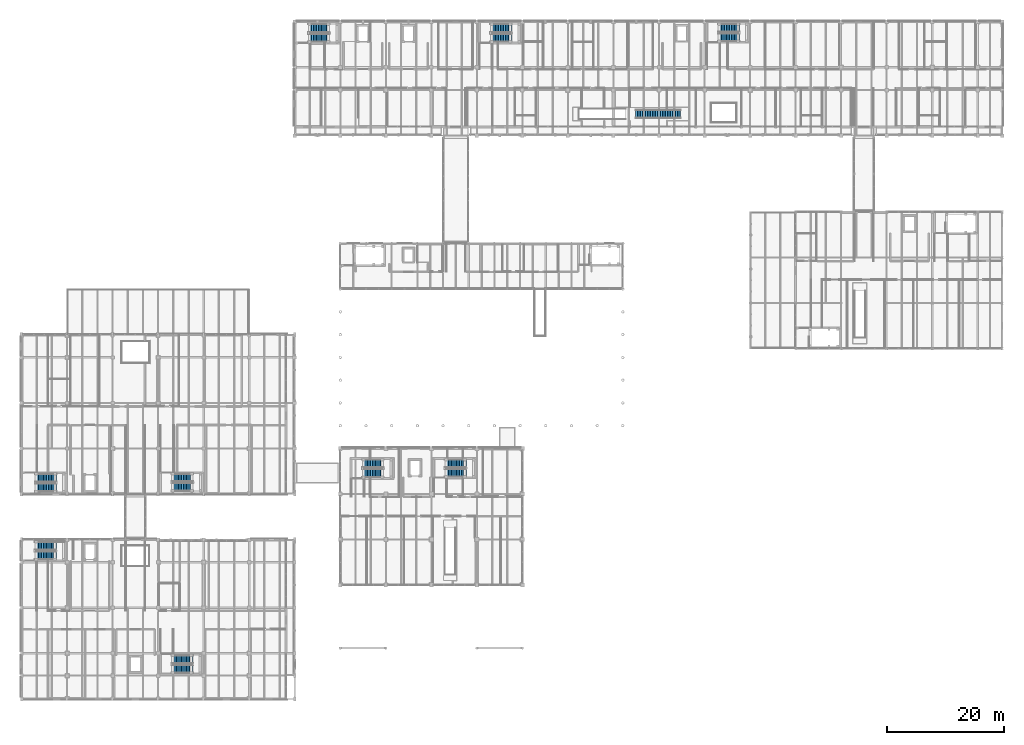
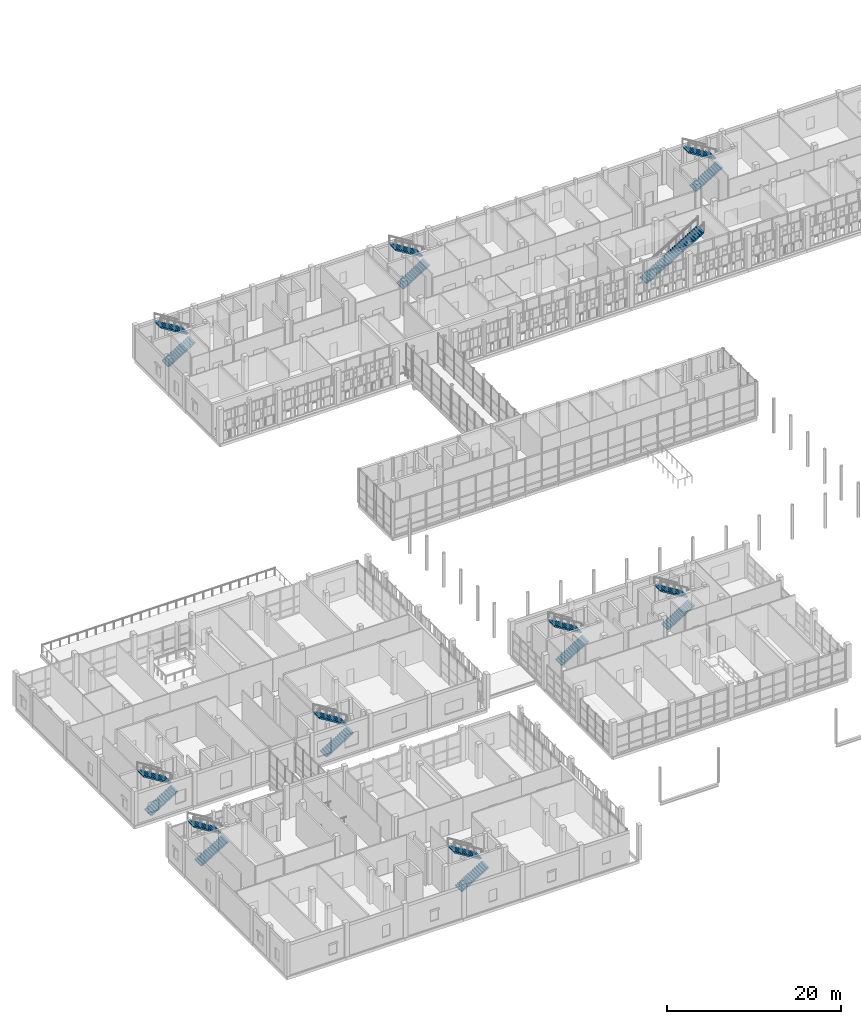
# One storey, part 115 of 138: 19 stair flights, 10 elements without a shape of their own.
"""IFC4 building model written with IfcOpenShell, lengths in metres."""

from ifc_helpers import new_model, si_unit, direction, frame, origin, place, context, subcontext, project, spatial, polyline, outline, extrude, material, type_object, element, aggregate, save


model = new_model("IFC4")

# Units and contexts
model_context = context("Model", 3, precision=1e-05, world=origin(), true_north=direction((0.0, 1.0)))
body_context = subcontext(model_context, "Body", "Model", "MODEL_VIEW")
ifc_project = project(units=[si_unit("LENGTHUNIT", "METRE"), si_unit("AREAUNIT", "SQUARE_METRE"), si_unit("VOLUMEUNIT", "CUBIC_METRE"), si_unit("PLANEANGLEUNIT", "RADIAN"), si_unit("MASSUNIT", "GRAM", prefix="KILO")], contexts=[model_context])

# Site, building, storey
site_placement = place(None, origin())
site = spatial("IfcSite", under=ifc_project, at=site_placement, CompositionType="ELEMENT")
building_placement = place(site_placement, origin())
building = spatial("IfcBuilding", under=site, at=building_placement, Name="Celorna Specialist Clinic", CompositionType="ELEMENT")
storey_placement = place(building_placement, frame((0.0, 0.0, 4.800048828125)))
storey = spatial("IfcBuildingStorey", under=building, at=storey_placement, Name="L01", CompositionType="ELEMENT", Elevation=4.800048828125)

# Stair, stair flights
ifc_material = material(Name="Concrete C35/45", Category="concrete")
stair_type_1 = type_object("IfcStairType", Name="ST-02", PredefinedType="HALF_TURN_STAIR", material=ifc_material)
stair_1_placement = place(storey_placement, origin())
stair_1 = element("IfcStair", 1, at=stair_1_placement, inside=storey, type_object=stair_type_1, Name="L01 Protected exit stair ST-01", PredefinedType="HALF_TURN_STAIR")
stair_flight_type_1 = type_object("IfcStairFlightType", Name="SFL-02", PredefinedType="STRAIGHT", material=ifc_material)
stair_flight_1_placement = place(storey_placement, frame((49.139892578125, 113.2451171875, 0.0), z_axis=(0.0, 0.0, 1.0), x_axis=(1.0, 0.0, 0.0)))
stair_flight_1 = element("IfcStairFlight", 2, at=stair_flight_1_placement, type_object=stair_flight_type_1, Name="ST-01 flight 1", NumberOfRisers=14, NumberOfTreads=13, PredefinedType="STRAIGHT", RiserHeight=0.171428571, TreadLength=0.28, context=body_context, shape_type="SweptSolid", body=[
    extrude(outline(polyline([(0.0, 0.0), (0.0, 0.17138671875), (0.280029296875, 0.17138671875), (0.280029296875, 0.3427734375), (0.56005859375, 0.3427734375), (0.56005859375, 0.514404296875), (0.840087890625, 0.514404296875), (0.840087890625, 0.685791015625), (1.1201171875, 0.685791015625), (1.1201171875, 0.857177734375), (1.39990234375, 0.857177734375), (1.39990234375, 1.028564453125), (1.679931640625, 1.028564453125), (1.679931640625, 1.199951171875), (1.9599609375, 1.199951171875), (1.9599609375, 1.371337890625), (2.239990234375, 1.371337890625), (2.239990234375, 1.54296875), (2.52001953125, 1.54296875), (2.52001953125, 1.71435546875), (2.800048828125, 1.71435546875), (2.800048828125, 1.8857421875), (3.080078125, 1.8857421875), (3.080078125, 2.05712890625), (3.360107421875, 2.05712890625), (3.360107421875, 2.228515625), (3.639892578125, 2.228515625), (3.639892578125, 2.39990234375), (3.639892578125, 2.052734375), (0.287109375, 0.0), (0.0, 0.0)])), frame((0.0, 0.72509765625, 0.0), z_axis=(0.0, -1.0, 0.0), x_axis=(1.0, 0.0, 0.0)), (0.0, 0.0, 1.0), 1.449951171875),
])
stair_flight_2_placement = place(storey_placement, frame((52.780029296875, 114.89501953125, 2.39990234375), z_axis=(0.0, 0.0, 1.0), x_axis=(-1.0, 0.0, 0.0)))
stair_flight_2 = element("IfcStairFlight", 3, at=stair_flight_2_placement, type_object=stair_flight_type_1, Name="ST-01 flight 2", NumberOfRisers=14, NumberOfTreads=13, PredefinedType="STRAIGHT", RiserHeight=0.171428571, TreadLength=0.28, context=body_context, shape_type="SweptSolid", body=[
    extrude(outline(polyline([(0.0, 0.0), (0.0, 0.17138671875), (0.280029296875, 0.17138671875), (0.280029296875, 0.3427734375), (0.56005859375, 0.3427734375), (0.56005859375, 0.514404296875), (0.840087890625, 0.514404296875), (0.840087890625, 0.685791015625), (1.1201171875, 0.685791015625), (1.1201171875, 0.857177734375), (1.39990234375, 0.857177734375), (1.39990234375, 1.028564453125), (1.679931640625, 1.028564453125), (1.679931640625, 1.199951171875), (1.9599609375, 1.199951171875), (1.9599609375, 1.371337890625), (2.239990234375, 1.371337890625), (2.239990234375, 1.54296875), (2.52001953125, 1.54296875), (2.52001953125, 1.71435546875), (2.800048828125, 1.71435546875), (2.800048828125, 1.8857421875), (3.080078125, 1.8857421875), (3.080078125, 2.05712890625), (3.360107421875, 2.05712890625), (3.360107421875, 2.228515625), (3.639892578125, 2.228515625), (3.639892578125, 2.39990234375), (3.639892578125, 2.052734375), (0.287109375, 0.0), (0.0, 0.0)])), frame((0.0, 0.72509765625, 0.0), z_axis=(0.0, -1.0, 0.0), x_axis=(1.0, 0.0, 0.0)), (0.0, 0.0, 1.0), 1.449951171875),
])
aggregate(stair_1, [stair_flight_1, stair_flight_2])

stair_2_placement = place(storey_placement, origin())
stair_2 = element("IfcStair", 4, at=stair_2_placement, inside=storey, type_object=stair_type_1, Name="L01 Protected exit stair ST-02", PredefinedType="HALF_TURN_STAIR")
stair_flight_3_placement = place(storey_placement, frame((80.340087890625, 113.2451171875, 0.0), z_axis=(0.0, 0.0, 1.0), x_axis=(1.0, 0.0, 0.0)))
stair_flight_3 = element("IfcStairFlight", 5, at=stair_flight_3_placement, type_object=stair_flight_type_1, Name="ST-02 flight 1", NumberOfRisers=14, NumberOfTreads=13, PredefinedType="STRAIGHT", RiserHeight=0.171428571, TreadLength=0.28, context=body_context, shape_type="SweptSolid", body=[
    extrude(outline(polyline([(0.0, 0.0), (0.0, 0.17138671875), (0.280029296875, 0.17138671875), (0.280029296875, 0.3427734375), (0.56005859375, 0.3427734375), (0.56005859375, 0.514404296875), (0.840087890625, 0.514404296875), (0.840087890625, 0.685791015625), (1.1201171875, 0.685791015625), (1.1201171875, 0.857177734375), (1.39990234375, 0.857177734375), (1.39990234375, 1.028564453125), (1.679931640625, 1.028564453125), (1.679931640625, 1.199951171875), (1.9599609375, 1.199951171875), (1.9599609375, 1.371337890625), (2.239990234375, 1.371337890625), (2.239990234375, 1.54296875), (2.52001953125, 1.54296875), (2.52001953125, 1.71435546875), (2.800048828125, 1.71435546875), (2.800048828125, 1.8857421875), (3.080078125, 1.8857421875), (3.080078125, 2.05712890625), (3.360107421875, 2.05712890625), (3.360107421875, 2.228515625), (3.639892578125, 2.228515625), (3.639892578125, 2.39990234375), (3.639892578125, 2.052734375), (0.287109375, 0.0), (0.0, 0.0)])), frame((0.0, 0.72509765625, 0.0), z_axis=(0.0, -1.0, 0.0), x_axis=(1.0, 0.0, 0.0)), (0.0, 0.0, 1.0), 1.449951171875),
])
stair_flight_4_placement = place(storey_placement, frame((83.97998046875, 114.89501953125, 2.39990234375), z_axis=(0.0, 0.0, 1.0), x_axis=(-1.0, 0.0, 0.0)))
stair_flight_4 = element("IfcStairFlight", 6, at=stair_flight_4_placement, type_object=stair_flight_type_1, Name="ST-02 flight 2", NumberOfRisers=14, NumberOfTreads=13, PredefinedType="STRAIGHT", RiserHeight=0.171428571, TreadLength=0.28, context=body_context, shape_type="SweptSolid", body=[
    extrude(outline(polyline([(0.0, 0.0), (0.0, 0.17138671875), (0.280029296875, 0.17138671875), (0.280029296875, 0.3427734375), (0.56005859375, 0.3427734375), (0.56005859375, 0.514404296875), (0.840087890625, 0.514404296875), (0.840087890625, 0.685791015625), (1.1201171875, 0.685791015625), (1.1201171875, 0.857177734375), (1.39990234375, 0.857177734375), (1.39990234375, 1.028564453125), (1.679931640625, 1.028564453125), (1.679931640625, 1.199951171875), (1.9599609375, 1.199951171875), (1.9599609375, 1.371337890625), (2.239990234375, 1.371337890625), (2.239990234375, 1.54296875), (2.52001953125, 1.54296875), (2.52001953125, 1.71435546875), (2.800048828125, 1.71435546875), (2.800048828125, 1.8857421875), (3.080078125, 1.8857421875), (3.080078125, 2.05712890625), (3.360107421875, 2.05712890625), (3.360107421875, 2.228515625), (3.639892578125, 2.228515625), (3.639892578125, 2.39990234375), (3.639892578125, 2.052734375), (0.287109375, 0.0), (0.0, 0.0)])), frame((0.0, 0.72509765625, 0.0), z_axis=(0.0, -1.0, 0.0), x_axis=(1.0, 0.0, 0.0)), (0.0, 0.0, 1.0), 1.449951171875),
])
aggregate(stair_2, [stair_flight_3, stair_flight_4])

stair_3_placement = place(storey_placement, origin())
stair_3 = element("IfcStair", 7, at=stair_3_placement, inside=storey, type_object=stair_type_1, Name="L01 Protected exit stair ST-04", PredefinedType="HALF_TURN_STAIR")
stair_flight_5_placement = place(storey_placement, frame((2.31005859375, 24.544921875, 0.0), z_axis=(0.0, 0.0, 1.0), x_axis=(1.0, 0.0, 0.0)))
stair_flight_5 = element("IfcStairFlight", 8, at=stair_flight_5_placement, type_object=stair_flight_type_1, Name="ST-04 flight 1", NumberOfRisers=14, NumberOfTreads=13, PredefinedType="STRAIGHT", RiserHeight=0.171428571, TreadLength=0.28, context=body_context, shape_type="SweptSolid", body=[
    extrude(outline(polyline([(0.0, 0.0), (0.0, 0.17138671875), (0.280029296875, 0.17138671875), (0.280029296875, 0.3427734375), (0.56005859375, 0.3427734375), (0.56005859375, 0.514404296875), (0.840087890625, 0.514404296875), (0.840087890625, 0.685791015625), (1.1201171875, 0.685791015625), (1.1201171875, 0.857177734375), (1.39990234375, 0.857177734375), (1.39990234375, 1.028564453125), (1.679931640625, 1.028564453125), (1.679931640625, 1.199951171875), (1.9599609375, 1.199951171875), (1.9599609375, 1.371337890625), (2.239990234375, 1.371337890625), (2.239990234375, 1.54296875), (2.52001953125, 1.54296875), (2.52001953125, 1.71435546875), (2.800048828125, 1.71435546875), (2.800048828125, 1.8857421875), (3.080078125, 1.8857421875), (3.080078125, 2.05712890625), (3.360107421875, 2.05712890625), (3.360107421875, 2.228515625), (3.639892578125, 2.228515625), (3.639892578125, 2.39990234375), (3.639892578125, 2.052734375), (0.287109375, 0.0), (0.0, 0.0)])), frame((0.0, 0.72509765625, 0.0), z_axis=(0.0, -1.0, 0.0), x_axis=(1.0, 0.0, 0.0)), (0.0, 0.0, 1.0), 1.449951171875),
])
stair_flight_6_placement = place(storey_placement, frame((5.949951171875, 26.195068359375, 2.39990234375), z_axis=(0.0, 0.0, 1.0), x_axis=(-1.0, 0.0, 0.0)))
stair_flight_6 = element("IfcStairFlight", 9, at=stair_flight_6_placement, type_object=stair_flight_type_1, Name="ST-04 flight 2", NumberOfRisers=14, NumberOfTreads=13, PredefinedType="STRAIGHT", RiserHeight=0.171428571, TreadLength=0.28, context=body_context, shape_type="SweptSolid", body=[
    extrude(outline(polyline([(0.0, 0.0), (0.0, 0.17138671875), (0.280029296875, 0.17138671875), (0.280029296875, 0.3427734375), (0.56005859375, 0.3427734375), (0.56005859375, 0.514404296875), (0.840087890625, 0.514404296875), (0.840087890625, 0.685791015625), (1.1201171875, 0.685791015625), (1.1201171875, 0.857177734375), (1.39990234375, 0.857177734375), (1.39990234375, 1.028564453125), (1.679931640625, 1.028564453125), (1.679931640625, 1.199951171875), (1.9599609375, 1.199951171875), (1.9599609375, 1.371337890625), (2.239990234375, 1.371337890625), (2.239990234375, 1.54296875), (2.52001953125, 1.54296875), (2.52001953125, 1.71435546875), (2.800048828125, 1.71435546875), (2.800048828125, 1.8857421875), (3.080078125, 1.8857421875), (3.080078125, 2.05712890625), (3.360107421875, 2.05712890625), (3.360107421875, 2.228515625), (3.639892578125, 2.228515625), (3.639892578125, 2.39990234375), (3.639892578125, 2.052734375), (0.287109375, 0.0), (0.0, 0.0)])), frame((0.0, 0.72509765625, 0.0), z_axis=(0.0, -1.0, 0.0), x_axis=(1.0, 0.0, 0.0)), (0.0, 0.0, 1.0), 1.449951171875),
])
aggregate(stair_3, [stair_flight_5, stair_flight_6])

stair_4_placement = place(storey_placement, origin())
stair_4 = element("IfcStair", 10, at=stair_4_placement, inside=storey, type_object=stair_type_1, Name="L01 Protected exit stair ST-05", PredefinedType="HALF_TURN_STAIR")
stair_flight_7_placement = place(storey_placement, frame((25.7099609375, 5.10498046875, 0.0), z_axis=(0.0, 0.0, 1.0), x_axis=(1.0, 0.0, 0.0)))
stair_flight_7 = element("IfcStairFlight", 11, at=stair_flight_7_placement, type_object=stair_flight_type_1, Name="ST-05 flight 1", NumberOfRisers=14, NumberOfTreads=13, PredefinedType="STRAIGHT", RiserHeight=0.171428571, TreadLength=0.28, context=body_context, shape_type="SweptSolid", body=[
    extrude(outline(polyline([(0.0, 0.0), (0.0, 0.17138671875), (0.280029296875, 0.17138671875), (0.280029296875, 0.3427734375), (0.56005859375, 0.3427734375), (0.56005859375, 0.514404296875), (0.840087890625, 0.514404296875), (0.840087890625, 0.685791015625), (1.1201171875, 0.685791015625), (1.1201171875, 0.857177734375), (1.39990234375, 0.857177734375), (1.39990234375, 1.028564453125), (1.679931640625, 1.028564453125), (1.679931640625, 1.199951171875), (1.9599609375, 1.199951171875), (1.9599609375, 1.371337890625), (2.239990234375, 1.371337890625), (2.239990234375, 1.54296875), (2.52001953125, 1.54296875), (2.52001953125, 1.71435546875), (2.800048828125, 1.71435546875), (2.800048828125, 1.8857421875), (3.080078125, 1.8857421875), (3.080078125, 2.05712890625), (3.360107421875, 2.05712890625), (3.360107421875, 2.228515625), (3.639892578125, 2.228515625), (3.639892578125, 2.39990234375), (3.639892578125, 2.052734375), (0.287109375, 0.0), (0.0, 0.0)])), frame((0.0, 0.72509765625, 0.0), z_axis=(0.0, -1.0, 0.0), x_axis=(1.0, 0.0, 0.0)), (0.0, 0.0, 1.0), 1.449951171875),
])
stair_flight_8_placement = place(storey_placement, frame((29.35009765625, 6.7548828125, 2.39990234375), z_axis=(0.0, 0.0, 1.0), x_axis=(-1.0, 0.0, 0.0)))
stair_flight_8 = element("IfcStairFlight", 12, at=stair_flight_8_placement, type_object=stair_flight_type_1, Name="ST-05 flight 2", NumberOfRisers=14, NumberOfTreads=13, PredefinedType="STRAIGHT", RiserHeight=0.171428571, TreadLength=0.28, context=body_context, shape_type="SweptSolid", body=[
    extrude(outline(polyline([(0.0, 0.0), (0.0, 0.17138671875), (0.280029296875, 0.17138671875), (0.280029296875, 0.3427734375), (0.56005859375, 0.3427734375), (0.56005859375, 0.514404296875), (0.840087890625, 0.514404296875), (0.840087890625, 0.685791015625), (1.1201171875, 0.685791015625), (1.1201171875, 0.857177734375), (1.39990234375, 0.857177734375), (1.39990234375, 1.028564453125), (1.679931640625, 1.028564453125), (1.679931640625, 1.199951171875), (1.9599609375, 1.199951171875), (1.9599609375, 1.371337890625), (2.239990234375, 1.371337890625), (2.239990234375, 1.54296875), (2.52001953125, 1.54296875), (2.52001953125, 1.71435546875), (2.800048828125, 1.71435546875), (2.800048828125, 1.8857421875), (3.080078125, 1.8857421875), (3.080078125, 2.05712890625), (3.360107421875, 2.05712890625), (3.360107421875, 2.228515625), (3.639892578125, 2.228515625), (3.639892578125, 2.39990234375), (3.639892578125, 2.052734375), (0.287109375, 0.0), (0.0, 0.0)])), frame((0.0, 0.72509765625, 0.0), z_axis=(0.0, -1.0, 0.0), x_axis=(1.0, 0.0, 0.0)), (0.0, 0.0, 1.0), 1.449951171875),
])
aggregate(stair_4, [stair_flight_7, stair_flight_8])

stair_5_placement = place(storey_placement, origin())
stair_5 = element("IfcStair", 13, at=stair_5_placement, inside=storey, type_object=stair_type_1, Name="L01 Protected exit stair ST-06", PredefinedType="HALF_TURN_STAIR")
stair_flight_9_placement = place(storey_placement, frame((2.340087890625, 36.205078125, 0.0), z_axis=(0.0, 0.0, 1.0), x_axis=(1.0, 0.0, 0.0)))
stair_flight_9 = element("IfcStairFlight", 14, at=stair_flight_9_placement, type_object=stair_flight_type_1, Name="ST-06 flight 1", NumberOfRisers=14, NumberOfTreads=13, PredefinedType="STRAIGHT", RiserHeight=0.171428571, TreadLength=0.28, context=body_context, shape_type="SweptSolid", body=[
    extrude(outline(polyline([(0.0, 0.0), (0.0, 0.17138671875), (0.280029296875, 0.17138671875), (0.280029296875, 0.3427734375), (0.56005859375, 0.3427734375), (0.56005859375, 0.514404296875), (0.840087890625, 0.514404296875), (0.840087890625, 0.685791015625), (1.1201171875, 0.685791015625), (1.1201171875, 0.857177734375), (1.39990234375, 0.857177734375), (1.39990234375, 1.028564453125), (1.679931640625, 1.028564453125), (1.679931640625, 1.199951171875), (1.9599609375, 1.199951171875), (1.9599609375, 1.371337890625), (2.239990234375, 1.371337890625), (2.239990234375, 1.54296875), (2.52001953125, 1.54296875), (2.52001953125, 1.71435546875), (2.800048828125, 1.71435546875), (2.800048828125, 1.8857421875), (3.080078125, 1.8857421875), (3.080078125, 2.05712890625), (3.360107421875, 2.05712890625), (3.360107421875, 2.228515625), (3.639892578125, 2.228515625), (3.639892578125, 2.39990234375), (3.639892578125, 2.052734375), (0.287109375, 0.0), (0.0, 0.0)])), frame((0.0, 0.72509765625, 0.0), z_axis=(0.0, -1.0, 0.0), x_axis=(1.0, 0.0, 0.0)), (0.0, 0.0, 1.0), 1.449951171875),
])
stair_flight_10_placement = place(storey_placement, frame((5.97998046875, 37.85498046875, 2.39990234375), z_axis=(0.0, 0.0, 1.0), x_axis=(-1.0, 0.0, 0.0)))
stair_flight_10 = element("IfcStairFlight", 15, at=stair_flight_10_placement, type_object=stair_flight_type_1, Name="ST-06 flight 2", NumberOfRisers=14, NumberOfTreads=13, PredefinedType="STRAIGHT", RiserHeight=0.171428571, TreadLength=0.28, context=body_context, shape_type="SweptSolid", body=[
    extrude(outline(polyline([(0.0, 0.0), (0.0, 0.17138671875), (0.280029296875, 0.17138671875), (0.280029296875, 0.3427734375), (0.56005859375, 0.3427734375), (0.56005859375, 0.514404296875), (0.840087890625, 0.514404296875), (0.840087890625, 0.685791015625), (1.1201171875, 0.685791015625), (1.1201171875, 0.857177734375), (1.39990234375, 0.857177734375), (1.39990234375, 1.028564453125), (1.679931640625, 1.028564453125), (1.679931640625, 1.199951171875), (1.9599609375, 1.199951171875), (1.9599609375, 1.371337890625), (2.239990234375, 1.371337890625), (2.239990234375, 1.54296875), (2.52001953125, 1.54296875), (2.52001953125, 1.71435546875), (2.800048828125, 1.71435546875), (2.800048828125, 1.8857421875), (3.080078125, 1.8857421875), (3.080078125, 2.05712890625), (3.360107421875, 2.05712890625), (3.360107421875, 2.228515625), (3.639892578125, 2.228515625), (3.639892578125, 2.39990234375), (3.639892578125, 2.052734375), (0.287109375, 0.0), (0.0, 0.0)])), frame((0.0, 0.72509765625, 0.0), z_axis=(0.0, -1.0, 0.0), x_axis=(1.0, 0.0, 0.0)), (0.0, 0.0, 1.0), 1.449951171875),
])
aggregate(stair_5, [stair_flight_9, stair_flight_10])

stair_6_placement = place(storey_placement, origin())
stair_6 = element("IfcStair", 16, at=stair_6_placement, inside=storey, type_object=stair_type_1, Name="L01 Protected exit stair ST-08", PredefinedType="HALF_TURN_STAIR")
stair_flight_11_placement = place(storey_placement, frame((58.39990234375, 38.64501953125, 0.0), z_axis=(0.0, 0.0, 1.0), x_axis=(1.0, 0.0, 0.0)))
stair_flight_11 = element("IfcStairFlight", 17, at=stair_flight_11_placement, type_object=stair_flight_type_1, Name="ST-08 flight 1", NumberOfRisers=14, NumberOfTreads=13, PredefinedType="STRAIGHT", RiserHeight=0.171428571, TreadLength=0.28, context=body_context, shape_type="SweptSolid", body=[
    extrude(outline(polyline([(0.0, 0.0), (0.0, 0.17138671875), (0.280029296875, 0.17138671875), (0.280029296875, 0.3427734375), (0.56005859375, 0.3427734375), (0.56005859375, 0.514404296875), (0.840087890625, 0.514404296875), (0.840087890625, 0.685791015625), (1.1201171875, 0.685791015625), (1.1201171875, 0.857177734375), (1.39990234375, 0.857177734375), (1.39990234375, 1.028564453125), (1.679931640625, 1.028564453125), (1.679931640625, 1.199951171875), (1.9599609375, 1.199951171875), (1.9599609375, 1.371337890625), (2.239990234375, 1.371337890625), (2.239990234375, 1.54296875), (2.52001953125, 1.54296875), (2.52001953125, 1.71435546875), (2.800048828125, 1.71435546875), (2.800048828125, 1.8857421875), (3.080078125, 1.8857421875), (3.080078125, 2.05712890625), (3.360107421875, 2.05712890625), (3.360107421875, 2.228515625), (3.639892578125, 2.228515625), (3.639892578125, 2.39990234375), (3.639892578125, 2.052734375), (0.287109375, 0.0), (0.0, 0.0)])), frame((0.0, 0.72509765625, 0.0), z_axis=(0.0, -1.0, 0.0), x_axis=(1.0, 0.0, 0.0)), (0.0, 0.0, 1.0), 1.449951171875),
])
stair_flight_12_placement = place(storey_placement, frame((62.0400390625, 40.294921875, 2.39990234375), z_axis=(0.0, 0.0, 1.0), x_axis=(-1.0, 0.0, 0.0)))
stair_flight_12 = element("IfcStairFlight", 18, at=stair_flight_12_placement, type_object=stair_flight_type_1, Name="ST-08 flight 2", NumberOfRisers=14, NumberOfTreads=13, PredefinedType="STRAIGHT", RiserHeight=0.171428571, TreadLength=0.28, context=body_context, shape_type="SweptSolid", body=[
    extrude(outline(polyline([(0.0, 0.0), (0.0, 0.17138671875), (0.280029296875, 0.17138671875), (0.280029296875, 0.3427734375), (0.56005859375, 0.3427734375), (0.56005859375, 0.514404296875), (0.840087890625, 0.514404296875), (0.840087890625, 0.685791015625), (1.1201171875, 0.685791015625), (1.1201171875, 0.857177734375), (1.39990234375, 0.857177734375), (1.39990234375, 1.028564453125), (1.679931640625, 1.028564453125), (1.679931640625, 1.199951171875), (1.9599609375, 1.199951171875), (1.9599609375, 1.371337890625), (2.239990234375, 1.371337890625), (2.239990234375, 1.54296875), (2.52001953125, 1.54296875), (2.52001953125, 1.71435546875), (2.800048828125, 1.71435546875), (2.800048828125, 1.8857421875), (3.080078125, 1.8857421875), (3.080078125, 2.05712890625), (3.360107421875, 2.05712890625), (3.360107421875, 2.228515625), (3.639892578125, 2.228515625), (3.639892578125, 2.39990234375), (3.639892578125, 2.052734375), (0.287109375, 0.0), (0.0, 0.0)])), frame((0.0, 0.72509765625, 0.0), z_axis=(0.0, -1.0, 0.0), x_axis=(1.0, 0.0, 0.0)), (0.0, 0.0, 1.0), 1.449951171875),
])
aggregate(stair_6, [stair_flight_11, stair_flight_12])

stair_type_2 = type_object("IfcStairType", Name="ST-03", PredefinedType="HALF_TURN_STAIR", material=ifc_material)
stair_7_placement = place(storey_placement, origin())
stair_7 = element("IfcStair", 19, at=stair_7_placement, inside=storey, type_object=stair_type_2, Name="L01 Protected exit stair ST-03", PredefinedType="HALF_TURN_STAIR")
stair_flight_type_2 = type_object("IfcStairFlightType", Name="SFL-03", PredefinedType="STRAIGHT", material=ifc_material)
stair_flight_13_placement = place(storey_placement, frame((119.340087890625, 113.320068359375, 0.0), z_axis=(0.0, 0.0, 1.0), x_axis=(1.0, 0.0, 0.0)))
stair_flight_13 = element("IfcStairFlight", 20, at=stair_flight_13_placement, type_object=stair_flight_type_2, Name="ST-03 flight 1", NumberOfRisers=14, NumberOfTreads=13, PredefinedType="STRAIGHT", RiserHeight=0.171428571, TreadLength=0.28, context=body_context, shape_type="SweptSolid", body=[
    extrude(outline(polyline([(0.0, 0.0), (0.0, 0.17138671875), (0.280029296875, 0.17138671875), (0.280029296875, 0.3427734375), (0.56005859375, 0.3427734375), (0.56005859375, 0.514404296875), (0.840087890625, 0.514404296875), (0.840087890625, 0.685791015625), (1.1201171875, 0.685791015625), (1.1201171875, 0.857177734375), (1.39990234375, 0.857177734375), (1.39990234375, 1.028564453125), (1.679931640625, 1.028564453125), (1.679931640625, 1.199951171875), (1.9599609375, 1.199951171875), (1.9599609375, 1.371337890625), (2.239990234375, 1.371337890625), (2.239990234375, 1.54296875), (2.52001953125, 1.54296875), (2.52001953125, 1.71435546875), (2.800048828125, 1.71435546875), (2.800048828125, 1.8857421875), (3.080078125, 1.8857421875), (3.080078125, 2.05712890625), (3.360107421875, 2.05712890625), (3.360107421875, 2.228515625), (3.639892578125, 2.228515625), (3.639892578125, 2.39990234375), (3.639892578125, 2.052734375), (0.287109375, 0.0), (0.0, 0.0)])), frame((0.0, 0.699951171875, 0.0), z_axis=(0.0, -1.0, 0.0), x_axis=(1.0, 0.0, 0.0)), (0.0, 0.0, 1.0), 1.39990234375),
])
stair_flight_14_placement = place(storey_placement, frame((122.97998046875, 114.919921875, 2.39990234375), z_axis=(0.0, 0.0, 1.0), x_axis=(-1.0, 0.0, 0.0)))
stair_flight_14 = element("IfcStairFlight", 21, at=stair_flight_14_placement, type_object=stair_flight_type_2, Name="ST-03 flight 2", NumberOfRisers=14, NumberOfTreads=13, PredefinedType="STRAIGHT", RiserHeight=0.171428571, TreadLength=0.28, context=body_context, shape_type="SweptSolid", body=[
    extrude(outline(polyline([(0.0, 0.0), (0.0, 0.17138671875), (0.280029296875, 0.17138671875), (0.280029296875, 0.3427734375), (0.56005859375, 0.3427734375), (0.56005859375, 0.514404296875), (0.840087890625, 0.514404296875), (0.840087890625, 0.685791015625), (1.1201171875, 0.685791015625), (1.1201171875, 0.857177734375), (1.39990234375, 0.857177734375), (1.39990234375, 1.028564453125), (1.679931640625, 1.028564453125), (1.679931640625, 1.199951171875), (1.9599609375, 1.199951171875), (1.9599609375, 1.371337890625), (2.239990234375, 1.371337890625), (2.239990234375, 1.54296875), (2.52001953125, 1.54296875), (2.52001953125, 1.71435546875), (2.800048828125, 1.71435546875), (2.800048828125, 1.8857421875), (3.080078125, 1.8857421875), (3.080078125, 2.05712890625), (3.360107421875, 2.05712890625), (3.360107421875, 2.228515625), (3.639892578125, 2.228515625), (3.639892578125, 2.39990234375), (3.639892578125, 2.052734375), (0.287109375, 0.0), (0.0, 0.0)])), frame((0.0, 0.699951171875, 0.0), z_axis=(0.0, -1.0, 0.0), x_axis=(1.0, 0.0, 0.0)), (0.0, 0.0, 1.0), 1.39990234375),
])
aggregate(stair_7, [stair_flight_13, stair_flight_14])

stair_8_placement = place(storey_placement, origin())
stair_8 = element("IfcStair", 22, at=stair_8_placement, inside=storey, type_object=stair_type_2, Name="L01 Protected exit stair ST-07", PredefinedType="HALF_TURN_STAIR")
stair_flight_15_placement = place(storey_placement, frame((25.739990234375, 36.280029296875, 0.0), z_axis=(0.0, 0.0, 1.0), x_axis=(1.0, 0.0, 0.0)))
stair_flight_15 = element("IfcStairFlight", 23, at=stair_flight_15_placement, type_object=stair_flight_type_2, Name="ST-07 flight 1", NumberOfRisers=14, NumberOfTreads=13, PredefinedType="STRAIGHT", RiserHeight=0.171428571, TreadLength=0.28, context=body_context, shape_type="SweptSolid", body=[
    extrude(outline(polyline([(0.0, 0.0), (0.0, 0.17138671875), (0.280029296875, 0.17138671875), (0.280029296875, 0.3427734375), (0.56005859375, 0.3427734375), (0.56005859375, 0.514404296875), (0.840087890625, 0.514404296875), (0.840087890625, 0.685791015625), (1.1201171875, 0.685791015625), (1.1201171875, 0.857177734375), (1.39990234375, 0.857177734375), (1.39990234375, 1.028564453125), (1.679931640625, 1.028564453125), (1.679931640625, 1.199951171875), (1.9599609375, 1.199951171875), (1.9599609375, 1.371337890625), (2.239990234375, 1.371337890625), (2.239990234375, 1.54296875), (2.52001953125, 1.54296875), (2.52001953125, 1.71435546875), (2.800048828125, 1.71435546875), (2.800048828125, 1.8857421875), (3.080078125, 1.8857421875), (3.080078125, 2.05712890625), (3.360107421875, 2.05712890625), (3.360107421875, 2.228515625), (3.639892578125, 2.228515625), (3.639892578125, 2.39990234375), (3.639892578125, 2.052734375), (0.287109375, 0.0), (0.0, 0.0)])), frame((0.0, 0.699951171875, 0.0), z_axis=(0.0, -1.0, 0.0), x_axis=(1.0, 0.0, 0.0)), (0.0, 0.0, 1.0), 1.39990234375),
])
stair_flight_16_placement = place(storey_placement, frame((29.3798828125, 37.8798828125, 2.39990234375), z_axis=(0.0, 0.0, 1.0), x_axis=(-1.0, 0.0, 0.0)))
stair_flight_16 = element("IfcStairFlight", 24, at=stair_flight_16_placement, type_object=stair_flight_type_2, Name="ST-07 flight 2", NumberOfRisers=14, NumberOfTreads=13, PredefinedType="STRAIGHT", RiserHeight=0.171428571, TreadLength=0.28, context=body_context, shape_type="SweptSolid", body=[
    extrude(outline(polyline([(0.0, 0.0), (0.0, 0.17138671875), (0.280029296875, 0.17138671875), (0.280029296875, 0.3427734375), (0.56005859375, 0.3427734375), (0.56005859375, 0.514404296875), (0.840087890625, 0.514404296875), (0.840087890625, 0.685791015625), (1.1201171875, 0.685791015625), (1.1201171875, 0.857177734375), (1.39990234375, 0.857177734375), (1.39990234375, 1.028564453125), (1.679931640625, 1.028564453125), (1.679931640625, 1.199951171875), (1.9599609375, 1.199951171875), (1.9599609375, 1.371337890625), (2.239990234375, 1.371337890625), (2.239990234375, 1.54296875), (2.52001953125, 1.54296875), (2.52001953125, 1.71435546875), (2.800048828125, 1.71435546875), (2.800048828125, 1.8857421875), (3.080078125, 1.8857421875), (3.080078125, 2.05712890625), (3.360107421875, 2.05712890625), (3.360107421875, 2.228515625), (3.639892578125, 2.228515625), (3.639892578125, 2.39990234375), (3.639892578125, 2.052734375), (0.287109375, 0.0), (0.0, 0.0)])), frame((0.0, 0.699951171875, 0.0), z_axis=(0.0, -1.0, 0.0), x_axis=(1.0, 0.0, 0.0)), (0.0, 0.0, 1.0), 1.39990234375),
])
aggregate(stair_8, [stair_flight_15, stair_flight_16])

stair_9_placement = place(storey_placement, origin())
stair_9 = element("IfcStair", 25, at=stair_9_placement, inside=storey, type_object=stair_type_2, Name="L01 Protected exit stair ST-09", PredefinedType="HALF_TURN_STAIR")
stair_flight_17_placement = place(storey_placement, frame((72.5400390625, 38.719970703125, 0.0), z_axis=(0.0, 0.0, 1.0), x_axis=(1.0, 0.0, 0.0)))
stair_flight_17 = element("IfcStairFlight", 26, at=stair_flight_17_placement, type_object=stair_flight_type_2, Name="ST-09 flight 1", NumberOfRisers=14, NumberOfTreads=13, PredefinedType="STRAIGHT", RiserHeight=0.171428571, TreadLength=0.28, context=body_context, shape_type="SweptSolid", body=[
    extrude(outline(polyline([(0.0, 0.0), (0.0, 0.17138671875), (0.280029296875, 0.17138671875), (0.280029296875, 0.3427734375), (0.56005859375, 0.3427734375), (0.56005859375, 0.514404296875), (0.840087890625, 0.514404296875), (0.840087890625, 0.685791015625), (1.1201171875, 0.685791015625), (1.1201171875, 0.857177734375), (1.39990234375, 0.857177734375), (1.39990234375, 1.028564453125), (1.679931640625, 1.028564453125), (1.679931640625, 1.199951171875), (1.9599609375, 1.199951171875), (1.9599609375, 1.371337890625), (2.239990234375, 1.371337890625), (2.239990234375, 1.54296875), (2.52001953125, 1.54296875), (2.52001953125, 1.71435546875), (2.800048828125, 1.71435546875), (2.800048828125, 1.8857421875), (3.080078125, 1.8857421875), (3.080078125, 2.05712890625), (3.360107421875, 2.05712890625), (3.360107421875, 2.228515625), (3.639892578125, 2.228515625), (3.639892578125, 2.39990234375), (3.639892578125, 2.052734375), (0.287109375, 0.0), (0.0, 0.0)])), frame((0.0, 0.699951171875, 0.0), z_axis=(0.0, -1.0, 0.0), x_axis=(1.0, 0.0, 0.0)), (0.0, 0.0, 1.0), 1.39990234375),
])
stair_flight_18_placement = place(storey_placement, frame((76.179931640625, 40.320068359375, 2.39990234375), z_axis=(0.0, 0.0, 1.0), x_axis=(-1.0, 0.0, 0.0)))
stair_flight_18 = element("IfcStairFlight", 27, at=stair_flight_18_placement, type_object=stair_flight_type_2, Name="ST-09 flight 2", NumberOfRisers=14, NumberOfTreads=13, PredefinedType="STRAIGHT", RiserHeight=0.171428571, TreadLength=0.28, context=body_context, shape_type="SweptSolid", body=[
    extrude(outline(polyline([(0.0, 0.0), (0.0, 0.17138671875), (0.280029296875, 0.17138671875), (0.280029296875, 0.3427734375), (0.56005859375, 0.3427734375), (0.56005859375, 0.514404296875), (0.840087890625, 0.514404296875), (0.840087890625, 0.685791015625), (1.1201171875, 0.685791015625), (1.1201171875, 0.857177734375), (1.39990234375, 0.857177734375), (1.39990234375, 1.028564453125), (1.679931640625, 1.028564453125), (1.679931640625, 1.199951171875), (1.9599609375, 1.199951171875), (1.9599609375, 1.371337890625), (2.239990234375, 1.371337890625), (2.239990234375, 1.54296875), (2.52001953125, 1.54296875), (2.52001953125, 1.71435546875), (2.800048828125, 1.71435546875), (2.800048828125, 1.8857421875), (3.080078125, 1.8857421875), (3.080078125, 2.05712890625), (3.360107421875, 2.05712890625), (3.360107421875, 2.228515625), (3.639892578125, 2.228515625), (3.639892578125, 2.39990234375), (3.639892578125, 2.052734375), (0.287109375, 0.0), (0.0, 0.0)])), frame((0.0, 0.699951171875, 0.0), z_axis=(0.0, -1.0, 0.0), x_axis=(1.0, 0.0, 0.0)), (0.0, 0.0, 1.0), 1.39990234375),
])
aggregate(stair_9, [stair_flight_17, stair_flight_18])

# Stair, stair flight
stair_type_3 = type_object("IfcStairType", Name="ST-08", PredefinedType="STRAIGHT_RUN_STAIR", material=ifc_material)
stair_10_placement = place(storey_placement, origin())
stair_10 = element("IfcStair", 28, at=stair_10_placement, inside=storey, type_object=stair_type_3, Name="Feature straight stair ST-17 L01", PredefinedType="STRAIGHT_RUN_STAIR")
stair_flight_type_3 = type_object("IfcStairFlightType", Name="SFL-08", PredefinedType="STRAIGHT", material=ifc_material)
stair_flight_19_placement = place(storey_placement, frame((105.199951171875, 100.199951171875, 0.0), z_axis=(0.0, 0.0, 1.0), x_axis=(1.0, 0.0, 0.0)))
stair_flight_19 = element("IfcStairFlight", 29, at=stair_flight_19_placement, type_object=stair_flight_type_3, Name="ST-17 flight 1", NumberOfRisers=28, NumberOfTreads=27, PredefinedType="STRAIGHT", RiserHeight=0.171428571, TreadLength=0.285, context=body_context, shape_type="SweptSolid", body=[
    extrude(outline(polyline([(0.0, 0.0), (0.0, 0.17138671875), (0.284912109375, 0.17138671875), (0.284912109375, 0.3427734375), (0.570068359375, 0.3427734375), (0.570068359375, 0.514404296875), (0.85498046875, 0.514404296875), (0.85498046875, 0.685791015625), (1.139892578125, 0.685791015625), (1.139892578125, 0.857177734375), (1.425048828125, 0.857177734375), (1.425048828125, 1.028564453125), (1.7099609375, 1.028564453125), (1.7099609375, 1.199951171875), (1.9951171875, 1.199951171875), (1.9951171875, 1.371337890625), (2.280029296875, 1.371337890625), (2.280029296875, 1.54296875), (2.56494140625, 1.54296875), (2.56494140625, 1.71435546875), (2.85009765625, 1.71435546875), (2.85009765625, 1.8857421875), (3.135009765625, 1.8857421875), (3.135009765625, 2.05712890625), (3.419921875, 2.05712890625), (3.419921875, 2.228515625), (3.705078125, 2.228515625), (3.705078125, 2.39990234375), (3.989990234375, 2.39990234375), (3.989990234375, 2.571533203125), (4.27490234375, 2.571533203125), (4.27490234375, 2.742919921875), (4.56005859375, 2.742919921875), (4.56005859375, 2.914306640625), (4.844970703125, 2.914306640625), (4.844970703125, 3.085693359375), (5.1298828125, 3.085693359375), (5.1298828125, 3.257080078125), (5.4150390625, 3.257080078125), (5.4150390625, 3.428466796875), (5.699951171875, 3.428466796875), (5.699951171875, 3.60009765625), (5.985107421875, 3.60009765625), (5.985107421875, 3.771484375), (6.27001953125, 3.771484375), (6.27001953125, 3.94287109375), (6.554931640625, 3.94287109375), (6.554931640625, 4.1142578125), (6.840087890625, 4.1142578125), (6.840087890625, 4.28564453125), (7.125, 4.28564453125), (7.125, 4.45703125), (7.409912109375, 4.45703125), (7.409912109375, 4.628662109375), (7.695068359375, 4.628662109375), (7.695068359375, 4.800048828125), (7.695068359375, 4.44189453125), (0.310302734375, 0.0), (0.0, 0.0)])), frame((0.0, 0.75, 0.0), z_axis=(0.0, -1.0, 0.0), x_axis=(1.0, 0.0, 0.0)), (0.0, 0.0, 1.0), 1.5),
])
aggregate(stair_10, [stair_flight_19])

save(model, "model.ifc")
